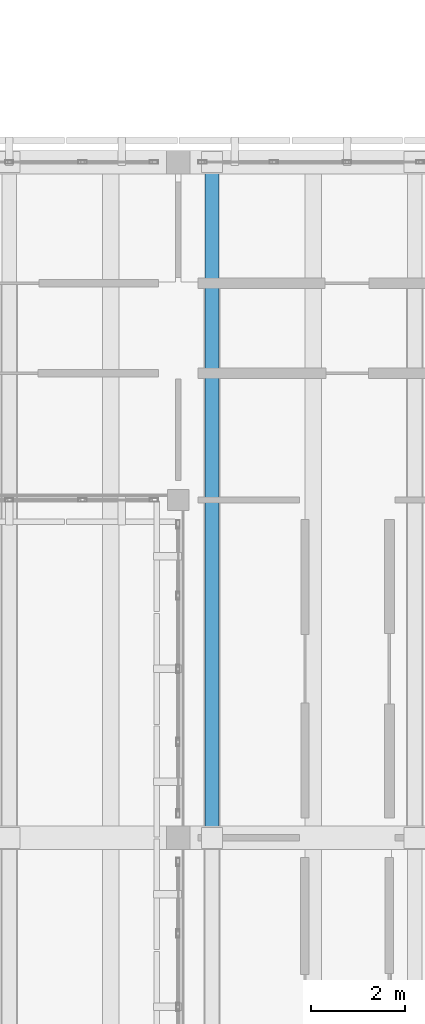
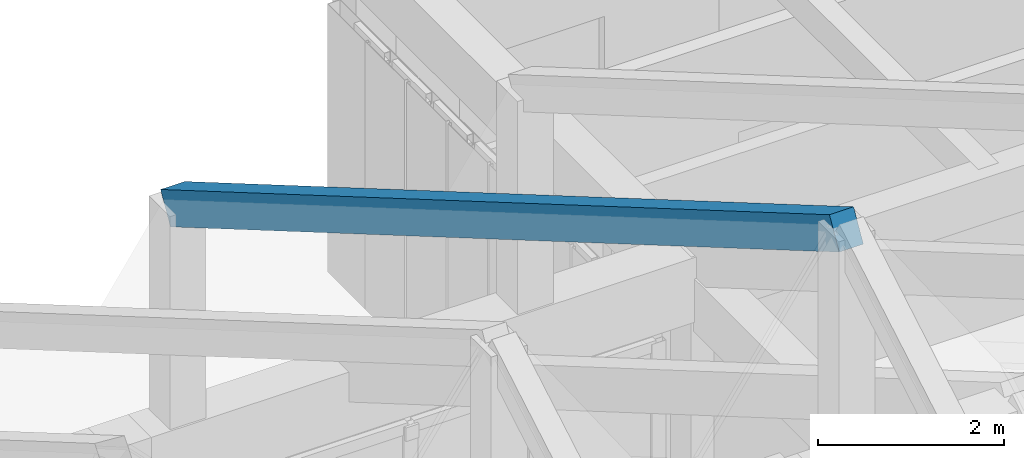
# One storey, part 52 of 171: 1 beam.
"""IFC4 building model written with IfcOpenShell, lengths in metres."""

from ifc_helpers import new_model, si_unit, direction, frame, origin, origin_2d, place, context, subcontext, project, spatial, rectangle, extrude, material, material_profile, profile_set, type_object, element, save


model = new_model("IFC4")

# Units and contexts
model_context = context("Model", 3, precision=1e-05, world=origin(), true_north=direction((0.0, 1.0)))
body_context = subcontext(model_context, "Body", "Model", "MODEL_VIEW")
ifc_project = project(units=[si_unit("LENGTHUNIT", "METRE"), si_unit("AREAUNIT", "SQUARE_METRE"), si_unit("VOLUMEUNIT", "CUBIC_METRE"), si_unit("PLANEANGLEUNIT", "RADIAN"), si_unit("MASSUNIT", "GRAM", prefix="KILO")], contexts=[model_context])

# Site, building, storey
site_placement = place(None, origin())
site = spatial("IfcSite", under=ifc_project, at=site_placement, CompositionType="ELEMENT")
building_placement = place(site_placement, origin())
building = spatial("IfcBuilding", under=site, at=building_placement, Name="Aldebral Square Health Centre", CompositionType="ELEMENT")
storey_placement = place(building_placement, frame((0.0, 0.0, 4.5)))
storey = spatial("IfcBuildingStorey", under=building, at=storey_placement, Name="L01", CompositionType="ELEMENT", Elevation=4.5)

# Beam
ifc_material = material(Name="Concrete C40/50", Category="concrete")
ifc_material_profile = material_profile(ifc_material, rectangle(XDim=0.300048828125, YDim=0.419921875, at=origin_2d()), Name="RC 300x420")
ifc_profile_set = profile_set([ifc_material_profile], Name="Concrete C40/50")
beam_type = type_object("IfcBeamType", Name="BM-FP2", PredefinedType="BEAM", material=ifc_profile_set)
beam_placement = place(storey_placement, frame((101.52001953125, 86.39990234375, 15.64990234375), z_axis=(0.0, 0.863783681228, -0.503862830584), x_axis=(-1.0, 0.0, 0.0)))
element("IfcBeam", 1, at=beam_placement, inside=storey, type_object=beam_type, Name="Folded-plate north ridge rib 9", PredefinedType="BEAM", context=body_context, shape_type="SweptSolid", body=[
    extrude(rectangle(XDim=0.300048828125, YDim=0.419921875, at=origin_2d()), origin(), (0.0, 0.0, 1.0), 16.6708984375),
])

save(model, "model.ifc")
